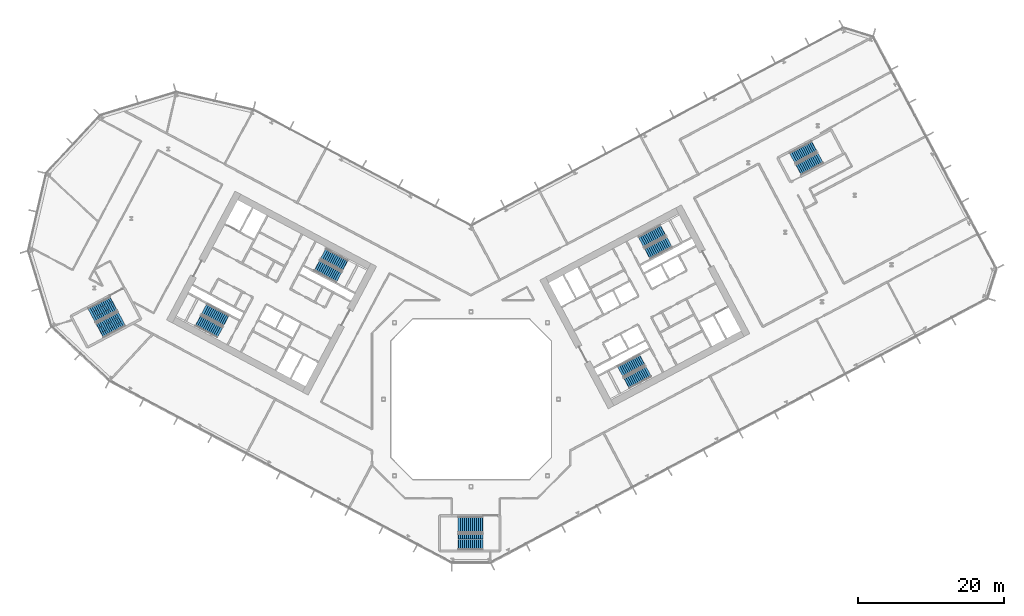
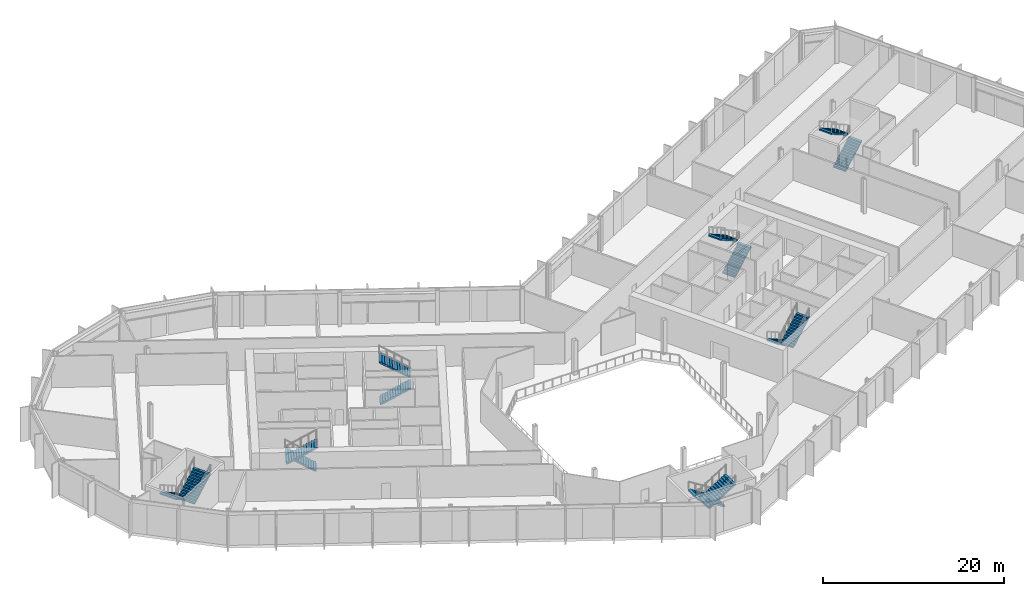
# One storey, part 20 of 31: 14 stair flights, 7 elements without a shape of their own.
"""IFC4 building model written with IfcOpenShell, lengths in metres."""

from ifc_helpers import new_model, si_unit, direction, frame, origin, place, context, subcontext, project, spatial, polyline, outline, extrude, material, type_object, element, aggregate, save


model = new_model("IFC4")

# Units and contexts
model_context = context("Model", 3, precision=1e-05, world=origin(), true_north=direction((0.0, 1.0)))
body_context = subcontext(model_context, "Body", "Model", "MODEL_VIEW")
ifc_project = project(units=[si_unit("LENGTHUNIT", "METRE"), si_unit("AREAUNIT", "SQUARE_METRE"), si_unit("VOLUMEUNIT", "CUBIC_METRE"), si_unit("PLANEANGLEUNIT", "RADIAN"), si_unit("MASSUNIT", "GRAM", prefix="KILO")], contexts=[model_context])

# Site, building, storey
site_placement = place(None, origin())
site = spatial("IfcSite", under=ifc_project, at=site_placement, CompositionType="ELEMENT")
building_placement = place(site_placement, origin())
building = spatial("IfcBuilding", under=site, at=building_placement, Name="Cormorant Relay Tower", CompositionType="ELEMENT")
storey_placement = place(building_placement, frame((0.0, 0.0, 98.39990234375)))
storey = spatial("IfcBuildingStorey", under=building, at=storey_placement, Name="L19", CompositionType="ELEMENT", Elevation=98.39990234375)

# Stair, stair flights
ifc_material_1 = material(Name="Concrete 40 MPa", Category="concrete")
stair_type_1 = type_object("IfcStairType", Name="Exit stair 1500", PredefinedType="HALF_TURN_STAIR", material=ifc_material_1)
stair_1_placement = place(storey_placement, origin())
stair_1 = element("IfcStair", 1, at=stair_1_placement, inside=storey, type_object=stair_type_1, Name="L19 Stair", PredefinedType="HALF_TURN_STAIR")
ifc_material_2 = material(Name="Concrete 40 MPa", Category="concrete")
stair_flight_type_1 = type_object("IfcStairFlightType", Name="Exit stair flight 1650", PredefinedType="STRAIGHT", material=ifc_material_2)
stair_flight_1_placement = place(storey_placement, frame((-21.114501953125, 18.33349609375, 0.0), z_axis=(0.0, 0.0, 1.0), x_axis=(0.882947592859, -0.469471562786, 0.0)))
stair_flight_1 = element("IfcStairFlight", 2, at=stair_flight_1_placement, type_object=stair_flight_type_1, Name="A1 flight 1", NumberOfRisers=13, NumberOfTreads=12, PredefinedType="STRAIGHT", RiserHeight=0.176923077, TreadLength=0.28, context=body_context, shape_type="SweptSolid", body=[
    extrude(outline(polyline([(-0.050048828125, -0.080078125), (-0.050048828125, 0.0), (0.0, 0.0), (0.0, 0.177001953125), (0.280029296875, 0.177001953125), (0.280029296875, 0.353759765625), (0.56005859375, 0.353759765625), (0.56005859375, 0.53076171875), (0.840087890625, 0.53076171875), (0.840087890625, 0.707763671875), (1.1201171875, 0.707763671875), (1.1201171875, 0.884521484375), (1.39990234375, 0.884521484375), (1.39990234375, 1.0615234375), (1.679931640625, 1.0615234375), (1.679931640625, 1.238525390625), (1.9599609375, 1.238525390625), (1.9599609375, 1.415283203125), (2.239990234375, 1.415283203125), (2.239990234375, 1.59228515625), (2.52001953125, 1.59228515625), (2.52001953125, 1.769287109375), (2.800048828125, 1.769287109375), (2.800048828125, 1.946044921875), (3.080078125, 1.946044921875), (3.080078125, 2.123046875), (3.360107421875, 2.123046875), (3.41015625, 2.123046875), (3.41015625, 1.94580078125), (3.360107421875, 1.94580078125), (0.280517578125, 0.0), (-0.050048828125, -0.080078125)])), frame((0.0, 0.824951171875, 0.0), z_axis=(0.0, -1.0, 0.0), x_axis=(1.0, 0.0, 0.0)), (0.0, 0.0, 1.0), 1.64990234375),
])
stair_flight_2_placement = place(storey_placement, frame((-17.302734375, 18.345458984375, 2.300048828125), z_axis=(0.0, 0.0, 1.0), x_axis=(-0.882947592859, 0.469471562786, 0.0)))
stair_flight_2 = element("IfcStairFlight", 3, at=stair_flight_2_placement, type_object=stair_flight_type_1, Name="A1 flight 2", NumberOfRisers=13, NumberOfTreads=12, PredefinedType="STRAIGHT", RiserHeight=0.176923077, TreadLength=0.28, context=body_context, shape_type="SweptSolid", body=[
    extrude(outline(polyline([(-0.050048828125, -0.080078125), (-0.050048828125, 0.0), (0.0, 0.0), (0.0, 0.177001953125), (0.280029296875, 0.177001953125), (0.280029296875, 0.353759765625), (0.56005859375, 0.353759765625), (0.56005859375, 0.53076171875), (0.840087890625, 0.53076171875), (0.840087890625, 0.707763671875), (1.1201171875, 0.707763671875), (1.1201171875, 0.884521484375), (1.39990234375, 0.884521484375), (1.39990234375, 1.0615234375), (1.679931640625, 1.0615234375), (1.679931640625, 1.238525390625), (1.9599609375, 1.238525390625), (1.9599609375, 1.415283203125), (2.239990234375, 1.415283203125), (2.239990234375, 1.59228515625), (2.52001953125, 1.59228515625), (2.52001953125, 1.769287109375), (2.800048828125, 1.769287109375), (2.800048828125, 1.946044921875), (3.080078125, 1.946044921875), (3.080078125, 2.123046875), (3.360107421875, 2.123046875), (3.41015625, 2.123046875), (3.41015625, 1.94580078125), (3.360107421875, 1.94580078125), (0.280517578125, 0.0), (-0.050048828125, -0.080078125)])), frame((0.0, 0.824951171875, 0.0), z_axis=(0.0, -1.0, 0.0), x_axis=(1.0, 0.0, 0.0)), (0.0, 0.0, 1.0), 1.64990234375),
])
aggregate(stair_1, [stair_flight_1, stair_flight_2])

stair_2_placement = place(storey_placement, origin())
stair_2 = element("IfcStair", 4, at=stair_2_placement, inside=storey, type_object=stair_type_1, Name="L19 Stair", PredefinedType="HALF_TURN_STAIR")
stair_flight_3_placement = place(storey_placement, frame((-33.62841796875, 10.773681640625, 0.0), z_axis=(0.0, 0.0, 1.0), x_axis=(-0.882947592859, 0.469471562786, 0.0)))
stair_flight_3 = element("IfcStairFlight", 5, at=stair_flight_3_placement, type_object=stair_flight_type_1, Name="A2 flight 1", NumberOfRisers=13, NumberOfTreads=12, PredefinedType="STRAIGHT", RiserHeight=0.176923077, TreadLength=0.28, context=body_context, shape_type="SweptSolid", body=[
    extrude(outline(polyline([(-0.050048828125, -0.080078125), (-0.050048828125, 0.0), (0.0, 0.0), (0.0, 0.177001953125), (0.280029296875, 0.177001953125), (0.280029296875, 0.353759765625), (0.56005859375, 0.353759765625), (0.56005859375, 0.53076171875), (0.840087890625, 0.53076171875), (0.840087890625, 0.707763671875), (1.1201171875, 0.707763671875), (1.1201171875, 0.884521484375), (1.39990234375, 0.884521484375), (1.39990234375, 1.0615234375), (1.679931640625, 1.0615234375), (1.679931640625, 1.238525390625), (1.9599609375, 1.238525390625), (1.9599609375, 1.415283203125), (2.239990234375, 1.415283203125), (2.239990234375, 1.59228515625), (2.52001953125, 1.59228515625), (2.52001953125, 1.769287109375), (2.800048828125, 1.769287109375), (2.800048828125, 1.946044921875), (3.080078125, 1.946044921875), (3.080078125, 2.123046875), (3.360107421875, 2.123046875), (3.41015625, 2.123046875), (3.41015625, 1.94580078125), (3.360107421875, 1.94580078125), (0.280517578125, 0.0), (-0.050048828125, -0.080078125)])), frame((0.0, 0.824951171875, 0.0), z_axis=(0.0, -1.0, 0.0), x_axis=(1.0, 0.0, 0.0)), (0.0, 0.0, 1.0), 1.64990234375),
])
stair_flight_4_placement = place(storey_placement, frame((-37.440185546875, 10.76171875, 2.300048828125), z_axis=(0.0, 0.0, 1.0), x_axis=(0.882947592859, -0.469471562786, 0.0)))
stair_flight_4 = element("IfcStairFlight", 6, at=stair_flight_4_placement, type_object=stair_flight_type_1, Name="A2 flight 2", NumberOfRisers=13, NumberOfTreads=12, PredefinedType="STRAIGHT", RiserHeight=0.176923077, TreadLength=0.28, context=body_context, shape_type="SweptSolid", body=[
    extrude(outline(polyline([(-0.050048828125, -0.080078125), (-0.050048828125, 0.0), (0.0, 0.0), (0.0, 0.177001953125), (0.280029296875, 0.177001953125), (0.280029296875, 0.353759765625), (0.56005859375, 0.353759765625), (0.56005859375, 0.53076171875), (0.840087890625, 0.53076171875), (0.840087890625, 0.707763671875), (1.1201171875, 0.707763671875), (1.1201171875, 0.884521484375), (1.39990234375, 0.884521484375), (1.39990234375, 1.0615234375), (1.679931640625, 1.0615234375), (1.679931640625, 1.238525390625), (1.9599609375, 1.238525390625), (1.9599609375, 1.415283203125), (2.239990234375, 1.415283203125), (2.239990234375, 1.59228515625), (2.52001953125, 1.59228515625), (2.52001953125, 1.769287109375), (2.800048828125, 1.769287109375), (2.800048828125, 1.946044921875), (3.080078125, 1.946044921875), (3.080078125, 2.123046875), (3.360107421875, 2.123046875), (3.41015625, 2.123046875), (3.41015625, 1.94580078125), (3.360107421875, 1.94580078125), (0.280517578125, 0.0), (-0.050048828125, -0.080078125)])), frame((0.0, 0.824951171875, 0.0), z_axis=(0.0, -1.0, 0.0), x_axis=(1.0, 0.0, 0.0)), (0.0, 0.0, 1.0), 1.64990234375),
])
aggregate(stair_2, [stair_flight_3, stair_flight_4])

stair_3_placement = place(storey_placement, origin())
stair_3 = element("IfcStair", 7, at=stair_3_placement, inside=storey, type_object=stair_type_1, Name="L19 Stair", PredefinedType="HALF_TURN_STAIR")
stair_flight_5_placement = place(storey_placement, frame((23.474365234375, 5.374755859375, 0.0), z_axis=(0.0, 0.0, 1.0), x_axis=(-0.882947592859, -0.469471562786, 0.0)))
stair_flight_5 = element("IfcStairFlight", 8, at=stair_flight_5_placement, type_object=stair_flight_type_1, Name="B1 flight 1", NumberOfRisers=13, NumberOfTreads=12, PredefinedType="STRAIGHT", RiserHeight=0.176923077, TreadLength=0.28, context=body_context, shape_type="SweptSolid", body=[
    extrude(outline(polyline([(-0.050048828125, -0.080078125), (-0.050048828125, 0.0), (0.0, 0.0), (0.0, 0.177001953125), (0.280029296875, 0.177001953125), (0.280029296875, 0.353759765625), (0.56005859375, 0.353759765625), (0.56005859375, 0.53076171875), (0.840087890625, 0.53076171875), (0.840087890625, 0.707763671875), (1.1201171875, 0.707763671875), (1.1201171875, 0.884521484375), (1.39990234375, 0.884521484375), (1.39990234375, 1.0615234375), (1.679931640625, 1.0615234375), (1.679931640625, 1.238525390625), (1.9599609375, 1.238525390625), (1.9599609375, 1.415283203125), (2.239990234375, 1.415283203125), (2.239990234375, 1.59228515625), (2.52001953125, 1.59228515625), (2.52001953125, 1.769287109375), (2.800048828125, 1.769287109375), (2.800048828125, 1.946044921875), (3.080078125, 1.946044921875), (3.080078125, 2.123046875), (3.360107421875, 2.123046875), (3.41015625, 2.123046875), (3.41015625, 1.94580078125), (3.360107421875, 1.94580078125), (0.280517578125, 0.0), (-0.050048828125, -0.080078125)])), frame((0.0, 0.824951171875, 0.0), z_axis=(0.0, -1.0, 0.0), x_axis=(1.0, 0.0, 0.0)), (0.0, 0.0, 1.0), 1.64990234375),
])
stair_flight_6_placement = place(storey_placement, frame((21.352783203125, 2.2080078125, 2.300048828125), z_axis=(0.0, 0.0, 1.0), x_axis=(0.882947592859, 0.469471562786, 0.0)))
stair_flight_6 = element("IfcStairFlight", 9, at=stair_flight_6_placement, type_object=stair_flight_type_1, Name="B1 flight 2", NumberOfRisers=13, NumberOfTreads=12, PredefinedType="STRAIGHT", RiserHeight=0.176923077, TreadLength=0.28, context=body_context, shape_type="SweptSolid", body=[
    extrude(outline(polyline([(-0.050048828125, -0.080078125), (-0.050048828125, 0.0), (0.0, 0.0), (0.0, 0.177001953125), (0.280029296875, 0.177001953125), (0.280029296875, 0.353759765625), (0.56005859375, 0.353759765625), (0.56005859375, 0.53076171875), (0.840087890625, 0.53076171875), (0.840087890625, 0.707763671875), (1.1201171875, 0.707763671875), (1.1201171875, 0.884521484375), (1.39990234375, 0.884521484375), (1.39990234375, 1.0615234375), (1.679931640625, 1.0615234375), (1.679931640625, 1.238525390625), (1.9599609375, 1.238525390625), (1.9599609375, 1.415283203125), (2.239990234375, 1.415283203125), (2.239990234375, 1.59228515625), (2.52001953125, 1.59228515625), (2.52001953125, 1.769287109375), (2.800048828125, 1.769287109375), (2.800048828125, 1.946044921875), (3.080078125, 1.946044921875), (3.080078125, 2.123046875), (3.360107421875, 2.123046875), (3.41015625, 2.123046875), (3.41015625, 1.94580078125), (3.360107421875, 1.94580078125), (0.280517578125, 0.0), (-0.050048828125, -0.080078125)])), frame((0.0, 0.824951171875, 0.0), z_axis=(0.0, -1.0, 0.0), x_axis=(1.0, 0.0, 0.0)), (0.0, 0.0, 1.0), 1.64990234375),
])
aggregate(stair_3, [stair_flight_5, stair_flight_6])

stair_4_placement = place(storey_placement, origin())
stair_4 = element("IfcStair", 10, at=stair_4_placement, inside=storey, type_object=stair_type_1, Name="L19 Stair", PredefinedType="HALF_TURN_STAIR")
stair_flight_7_placement = place(storey_placement, frame((24.20458984375, 19.976806640625, 0.0), z_axis=(0.0, 0.0, 1.0), x_axis=(0.882947592859, 0.469471562786, 0.0)))
stair_flight_7 = element("IfcStairFlight", 11, at=stair_flight_7_placement, type_object=stair_flight_type_1, Name="B2 flight 1", NumberOfRisers=13, NumberOfTreads=12, PredefinedType="STRAIGHT", RiserHeight=0.176923077, TreadLength=0.28, context=body_context, shape_type="SweptSolid", body=[
    extrude(outline(polyline([(-0.050048828125, -0.080078125), (-0.050048828125, 0.0), (0.0, 0.0), (0.0, 0.177001953125), (0.280029296875, 0.177001953125), (0.280029296875, 0.353759765625), (0.56005859375, 0.353759765625), (0.56005859375, 0.53076171875), (0.840087890625, 0.53076171875), (0.840087890625, 0.707763671875), (1.1201171875, 0.707763671875), (1.1201171875, 0.884521484375), (1.39990234375, 0.884521484375), (1.39990234375, 1.0615234375), (1.679931640625, 1.0615234375), (1.679931640625, 1.238525390625), (1.9599609375, 1.238525390625), (1.9599609375, 1.415283203125), (2.239990234375, 1.415283203125), (2.239990234375, 1.59228515625), (2.52001953125, 1.59228515625), (2.52001953125, 1.769287109375), (2.800048828125, 1.769287109375), (2.800048828125, 1.946044921875), (3.080078125, 1.946044921875), (3.080078125, 2.123046875), (3.360107421875, 2.123046875), (3.41015625, 2.123046875), (3.41015625, 1.94580078125), (3.360107421875, 1.94580078125), (0.280517578125, 0.0), (-0.050048828125, -0.080078125)])), frame((0.0, 0.824951171875, 0.0), z_axis=(0.0, -1.0, 0.0), x_axis=(1.0, 0.0, 0.0)), (0.0, 0.0, 1.0), 1.64990234375),
])
stair_flight_8_placement = place(storey_placement, frame((26.326416015625, 23.1435546875, 2.300048828125), z_axis=(0.0, 0.0, 1.0), x_axis=(-0.882947592859, -0.469471562786, 0.0)))
stair_flight_8 = element("IfcStairFlight", 12, at=stair_flight_8_placement, type_object=stair_flight_type_1, Name="B2 flight 2", NumberOfRisers=13, NumberOfTreads=12, PredefinedType="STRAIGHT", RiserHeight=0.176923077, TreadLength=0.28, context=body_context, shape_type="SweptSolid", body=[
    extrude(outline(polyline([(-0.050048828125, -0.080078125), (-0.050048828125, 0.0), (0.0, 0.0), (0.0, 0.177001953125), (0.280029296875, 0.177001953125), (0.280029296875, 0.353759765625), (0.56005859375, 0.353759765625), (0.56005859375, 0.53076171875), (0.840087890625, 0.53076171875), (0.840087890625, 0.707763671875), (1.1201171875, 0.707763671875), (1.1201171875, 0.884521484375), (1.39990234375, 0.884521484375), (1.39990234375, 1.0615234375), (1.679931640625, 1.0615234375), (1.679931640625, 1.238525390625), (1.9599609375, 1.238525390625), (1.9599609375, 1.415283203125), (2.239990234375, 1.415283203125), (2.239990234375, 1.59228515625), (2.52001953125, 1.59228515625), (2.52001953125, 1.769287109375), (2.800048828125, 1.769287109375), (2.800048828125, 1.946044921875), (3.080078125, 1.946044921875), (3.080078125, 2.123046875), (3.360107421875, 2.123046875), (3.41015625, 2.123046875), (3.41015625, 1.94580078125), (3.360107421875, 1.94580078125), (0.280517578125, 0.0), (-0.050048828125, -0.080078125)])), frame((0.0, 0.824951171875, 0.0), z_axis=(0.0, -1.0, 0.0), x_axis=(1.0, 0.0, 0.0)), (0.0, 0.0, 1.0), 1.64990234375),
])
aggregate(stair_4, [stair_flight_7, stair_flight_8])

stair_5_placement = place(storey_placement, origin())
stair_5 = element("IfcStair", 13, at=stair_5_placement, inside=storey, type_object=stair_type_1, Name="L19 Stair", PredefinedType="HALF_TURN_STAIR")
stair_flight_9_placement = place(storey_placement, frame((44.947509765625, 31.502197265625, 0.0), z_axis=(0.0, 0.0, 1.0), x_axis=(0.882947502727, 0.4694717323, 0.0)))
stair_flight_9 = element("IfcStairFlight", 14, at=stair_flight_9_placement, type_object=stair_flight_type_1, Name="RB1 flight 1", NumberOfRisers=13, NumberOfTreads=12, PredefinedType="STRAIGHT", RiserHeight=0.176923077, TreadLength=0.28, context=body_context, shape_type="SweptSolid", body=[
    extrude(outline(polyline([(-0.050048828125, -0.080078125), (-0.050048828125, 0.0), (0.0, 0.0), (0.0, 0.177001953125), (0.280029296875, 0.177001953125), (0.280029296875, 0.353759765625), (0.56005859375, 0.353759765625), (0.56005859375, 0.53076171875), (0.840087890625, 0.53076171875), (0.840087890625, 0.707763671875), (1.1201171875, 0.707763671875), (1.1201171875, 0.884521484375), (1.39990234375, 0.884521484375), (1.39990234375, 1.0615234375), (1.679931640625, 1.0615234375), (1.679931640625, 1.238525390625), (1.9599609375, 1.238525390625), (1.9599609375, 1.415283203125), (2.239990234375, 1.415283203125), (2.239990234375, 1.59228515625), (2.52001953125, 1.59228515625), (2.52001953125, 1.769287109375), (2.800048828125, 1.769287109375), (2.800048828125, 1.946044921875), (3.080078125, 1.946044921875), (3.080078125, 2.123046875), (3.360107421875, 2.123046875), (3.41015625, 2.123046875), (3.41015625, 1.94580078125), (3.360107421875, 1.94580078125), (0.280517578125, 0.0), (-0.050048828125, -0.080078125)])), frame((0.0, 0.824951171875, 0.0), z_axis=(0.0, -1.0, 0.0), x_axis=(1.0, 0.0, 0.0)), (0.0, 0.0, 1.0), 1.64990234375),
])
stair_flight_10_placement = place(storey_placement, frame((47.0693359375, 34.668701171875, 2.300048828125), z_axis=(0.0, 0.0, 1.0), x_axis=(-0.882947502727, -0.4694717323, 0.0)))
stair_flight_10 = element("IfcStairFlight", 15, at=stair_flight_10_placement, type_object=stair_flight_type_1, Name="RB1 flight 2", NumberOfRisers=13, NumberOfTreads=12, PredefinedType="STRAIGHT", RiserHeight=0.176923077, TreadLength=0.28, context=body_context, shape_type="SweptSolid", body=[
    extrude(outline(polyline([(-0.050048828125, -0.080078125), (-0.050048828125, 0.0), (0.0, 0.0), (0.0, 0.177001953125), (0.280029296875, 0.177001953125), (0.280029296875, 0.353759765625), (0.56005859375, 0.353759765625), (0.56005859375, 0.53076171875), (0.840087890625, 0.53076171875), (0.840087890625, 0.707763671875), (1.1201171875, 0.707763671875), (1.1201171875, 0.884521484375), (1.39990234375, 0.884521484375), (1.39990234375, 1.0615234375), (1.679931640625, 1.0615234375), (1.679931640625, 1.238525390625), (1.9599609375, 1.238525390625), (1.9599609375, 1.415283203125), (2.239990234375, 1.415283203125), (2.239990234375, 1.59228515625), (2.52001953125, 1.59228515625), (2.52001953125, 1.769287109375), (2.800048828125, 1.769287109375), (2.800048828125, 1.946044921875), (3.080078125, 1.946044921875), (3.080078125, 2.123046875), (3.360107421875, 2.123046875), (3.41015625, 2.123046875), (3.41015625, 1.94580078125), (3.360107421875, 1.94580078125), (0.280517578125, 0.0), (-0.050048828125, -0.080078125)])), frame((0.0, 0.824951171875, 0.0), z_axis=(0.0, -1.0, 0.0), x_axis=(1.0, 0.0, 0.0)), (0.0, 0.0, 1.0), 1.64990234375),
])
aggregate(stair_5, [stair_flight_9, stair_flight_10])

ifc_material_3 = material(Name="Concrete 40 MPa", Category="concrete")
stair_type_2 = type_object("IfcStairType", Name="Remote exit stair 2200", PredefinedType="HALF_TURN_STAIR", material=ifc_material_3)
stair_6_placement = place(storey_placement, origin())
stair_6 = element("IfcStair", 16, at=stair_6_placement, inside=storey, type_object=stair_type_2, Name="L19 Stair", PredefinedType="HALF_TURN_STAIR")
ifc_material_4 = material(Name="Concrete 40 MPa", Category="concrete")
stair_flight_type_2 = type_object("IfcStairFlightType", Name="Remote exit stair flight 2200", PredefinedType="STRAIGHT", material=ifc_material_4)
stair_flight_11_placement = place(storey_placement, frame((1.60009765625, -17.22509765625, 0.0), z_axis=(0.0, 0.0, 1.0), x_axis=(-1.0, 0.0, 0.0)))
stair_flight_11 = element("IfcStairFlight", 17, at=stair_flight_11_placement, type_object=stair_flight_type_2, Name="RK1 flight 1", NumberOfRisers=13, NumberOfTreads=12, PredefinedType="STRAIGHT", RiserHeight=0.176923077, TreadLength=0.28, context=body_context, shape_type="SweptSolid", body=[
    extrude(outline(polyline([(-0.050048828125, -0.080078125), (-0.050048828125, 0.0), (0.0, 0.0), (0.0, 0.177001953125), (0.280029296875, 0.177001953125), (0.280029296875, 0.353759765625), (0.56005859375, 0.353759765625), (0.56005859375, 0.53076171875), (0.840087890625, 0.53076171875), (0.840087890625, 0.707763671875), (1.1201171875, 0.707763671875), (1.1201171875, 0.884521484375), (1.39990234375, 0.884521484375), (1.39990234375, 1.0615234375), (1.679931640625, 1.0615234375), (1.679931640625, 1.238525390625), (1.9599609375, 1.238525390625), (1.9599609375, 1.415283203125), (2.239990234375, 1.415283203125), (2.239990234375, 1.59228515625), (2.52001953125, 1.59228515625), (2.52001953125, 1.769287109375), (2.800048828125, 1.769287109375), (2.800048828125, 1.946044921875), (3.080078125, 1.946044921875), (3.080078125, 2.123046875), (3.360107421875, 2.123046875), (3.41015625, 2.123046875), (3.41015625, 1.94580078125), (3.360107421875, 1.94580078125), (0.280517578125, 0.0), (-0.050048828125, -0.080078125)])), frame((0.0, 1.10009765625, 0.0), z_axis=(0.0, -1.0, 0.0), x_axis=(1.0, 0.0, 0.0)), (0.0, 0.0, 1.0), 0.719970703125),
    extrude(outline(polyline([(-0.050048828125, -0.080078125), (-0.050048828125, 0.0), (0.0, 0.0), (0.0, 0.177001953125), (0.280029296875, 0.177001953125), (0.280029296875, 0.353759765625), (0.56005859375, 0.353759765625), (0.56005859375, 0.53076171875), (0.840087890625, 0.53076171875), (0.840087890625, 0.707763671875), (1.1201171875, 0.707763671875), (1.1201171875, 0.884521484375), (1.39990234375, 0.884521484375), (1.39990234375, 1.0615234375), (1.679931640625, 1.0615234375), (1.679931640625, 1.238525390625), (1.9599609375, 1.238525390625), (1.9599609375, 1.415283203125), (2.239990234375, 1.415283203125), (2.239990234375, 1.59228515625), (2.52001953125, 1.59228515625), (2.52001953125, 1.769287109375), (2.800048828125, 1.769287109375), (2.800048828125, 1.946044921875), (3.080078125, 1.946044921875), (3.080078125, 2.123046875), (3.360107421875, 2.123046875), (3.41015625, 2.123046875), (3.41015625, 1.94580078125), (3.360107421875, 1.94580078125), (0.280517578125, 0.0), (-0.050048828125, -0.080078125)])), frame((0.0, 0.360107421875, 0.0), z_axis=(0.0, -1.0, 0.0), x_axis=(1.0, 0.0, 0.0)), (0.0, 0.0, 1.0), 0.719970703125),
    extrude(outline(polyline([(-0.050048828125, -0.080078125), (-0.050048828125, 0.0), (0.0, 0.0), (0.0, 0.177001953125), (0.280029296875, 0.177001953125), (0.280029296875, 0.353759765625), (0.56005859375, 0.353759765625), (0.56005859375, 0.53076171875), (0.840087890625, 0.53076171875), (0.840087890625, 0.707763671875), (1.1201171875, 0.707763671875), (1.1201171875, 0.884521484375), (1.39990234375, 0.884521484375), (1.39990234375, 1.0615234375), (1.679931640625, 1.0615234375), (1.679931640625, 1.238525390625), (1.9599609375, 1.238525390625), (1.9599609375, 1.415283203125), (2.239990234375, 1.415283203125), (2.239990234375, 1.59228515625), (2.52001953125, 1.59228515625), (2.52001953125, 1.769287109375), (2.800048828125, 1.769287109375), (2.800048828125, 1.946044921875), (3.080078125, 1.946044921875), (3.080078125, 2.123046875), (3.360107421875, 2.123046875), (3.41015625, 2.123046875), (3.41015625, 1.94580078125), (3.360107421875, 1.94580078125), (0.280517578125, 0.0), (-0.050048828125, -0.080078125)])), frame((0.0, -0.3798828125, 0.0), z_axis=(0.0, -1.0, 0.0), x_axis=(1.0, 0.0, 0.0)), (0.0, 0.0, 1.0), 0.719970703125),
])
stair_flight_12_placement = place(storey_placement, frame((-1.760009765625, -19.574951171875, 2.300048828125), z_axis=(0.0, 0.0, 1.0), x_axis=(1.0, 0.0, 0.0)))
stair_flight_12 = element("IfcStairFlight", 18, at=stair_flight_12_placement, type_object=stair_flight_type_2, Name="RK1 flight 2", NumberOfRisers=13, NumberOfTreads=12, PredefinedType="STRAIGHT", RiserHeight=0.176923077, TreadLength=0.28, context=body_context, shape_type="SweptSolid", body=[
    extrude(outline(polyline([(-0.050048828125, -0.080078125), (-0.050048828125, 0.0), (0.0, 0.0), (0.0, 0.177001953125), (0.280029296875, 0.177001953125), (0.280029296875, 0.353759765625), (0.56005859375, 0.353759765625), (0.56005859375, 0.53076171875), (0.840087890625, 0.53076171875), (0.840087890625, 0.707763671875), (1.1201171875, 0.707763671875), (1.1201171875, 0.884521484375), (1.39990234375, 0.884521484375), (1.39990234375, 1.0615234375), (1.679931640625, 1.0615234375), (1.679931640625, 1.238525390625), (1.9599609375, 1.238525390625), (1.9599609375, 1.415283203125), (2.239990234375, 1.415283203125), (2.239990234375, 1.59228515625), (2.52001953125, 1.59228515625), (2.52001953125, 1.769287109375), (2.800048828125, 1.769287109375), (2.800048828125, 1.946044921875), (3.080078125, 1.946044921875), (3.080078125, 2.123046875), (3.360107421875, 2.123046875), (3.41015625, 2.123046875), (3.41015625, 1.94580078125), (3.360107421875, 1.94580078125), (0.280517578125, 0.0), (-0.050048828125, -0.080078125)])), frame((0.0, 1.10009765625, 0.0), z_axis=(0.0, -1.0, 0.0), x_axis=(1.0, 0.0, 0.0)), (0.0, 0.0, 1.0), 0.719970703125),
    extrude(outline(polyline([(-0.050048828125, -0.080078125), (-0.050048828125, 0.0), (0.0, 0.0), (0.0, 0.177001953125), (0.280029296875, 0.177001953125), (0.280029296875, 0.353759765625), (0.56005859375, 0.353759765625), (0.56005859375, 0.53076171875), (0.840087890625, 0.53076171875), (0.840087890625, 0.707763671875), (1.1201171875, 0.707763671875), (1.1201171875, 0.884521484375), (1.39990234375, 0.884521484375), (1.39990234375, 1.0615234375), (1.679931640625, 1.0615234375), (1.679931640625, 1.238525390625), (1.9599609375, 1.238525390625), (1.9599609375, 1.415283203125), (2.239990234375, 1.415283203125), (2.239990234375, 1.59228515625), (2.52001953125, 1.59228515625), (2.52001953125, 1.769287109375), (2.800048828125, 1.769287109375), (2.800048828125, 1.946044921875), (3.080078125, 1.946044921875), (3.080078125, 2.123046875), (3.360107421875, 2.123046875), (3.41015625, 2.123046875), (3.41015625, 1.94580078125), (3.360107421875, 1.94580078125), (0.280517578125, 0.0), (-0.050048828125, -0.080078125)])), frame((0.0, 0.360107421875, 0.0), z_axis=(0.0, -1.0, 0.0), x_axis=(1.0, 0.0, 0.0)), (0.0, 0.0, 1.0), 0.719970703125),
    extrude(outline(polyline([(-0.050048828125, -0.080078125), (-0.050048828125, 0.0), (0.0, 0.0), (0.0, 0.177001953125), (0.280029296875, 0.177001953125), (0.280029296875, 0.353759765625), (0.56005859375, 0.353759765625), (0.56005859375, 0.53076171875), (0.840087890625, 0.53076171875), (0.840087890625, 0.707763671875), (1.1201171875, 0.707763671875), (1.1201171875, 0.884521484375), (1.39990234375, 0.884521484375), (1.39990234375, 1.0615234375), (1.679931640625, 1.0615234375), (1.679931640625, 1.238525390625), (1.9599609375, 1.238525390625), (1.9599609375, 1.415283203125), (2.239990234375, 1.415283203125), (2.239990234375, 1.59228515625), (2.52001953125, 1.59228515625), (2.52001953125, 1.769287109375), (2.800048828125, 1.769287109375), (2.800048828125, 1.946044921875), (3.080078125, 1.946044921875), (3.080078125, 2.123046875), (3.360107421875, 2.123046875), (3.41015625, 2.123046875), (3.41015625, 1.94580078125), (3.360107421875, 1.94580078125), (0.280517578125, 0.0), (-0.050048828125, -0.080078125)])), frame((0.0, -0.3798828125, 0.0), z_axis=(0.0, -1.0, 0.0), x_axis=(1.0, 0.0, 0.0)), (0.0, 0.0, 1.0), 0.719970703125),
])
aggregate(stair_6, [stair_flight_11, stair_flight_12])

stair_7_placement = place(storey_placement, origin())
stair_7 = element("IfcStair", 19, at=stair_7_placement, inside=storey, type_object=stair_type_2, Name="L19 Stair", PredefinedType="HALF_TURN_STAIR")
stair_flight_13_placement = place(storey_placement, frame((-49.062255859375, 13.08251953125, 0.0), z_axis=(0.0, 0.0, 1.0), x_axis=(-0.882947502727, -0.4694717323, 0.0)))
stair_flight_13 = element("IfcStairFlight", 20, at=stair_flight_13_placement, type_object=stair_flight_type_2, Name="RP1 flight 1", NumberOfRisers=13, NumberOfTreads=12, PredefinedType="STRAIGHT", RiserHeight=0.176923077, TreadLength=0.28, context=body_context, shape_type="SweptSolid", body=[
    extrude(outline(polyline([(-0.050048828125, -0.080078125), (-0.050048828125, 0.0), (0.0, 0.0), (0.0, 0.177001953125), (0.280029296875, 0.177001953125), (0.280029296875, 0.353759765625), (0.56005859375, 0.353759765625), (0.56005859375, 0.53076171875), (0.840087890625, 0.53076171875), (0.840087890625, 0.707763671875), (1.1201171875, 0.707763671875), (1.1201171875, 0.884521484375), (1.39990234375, 0.884521484375), (1.39990234375, 1.0615234375), (1.679931640625, 1.0615234375), (1.679931640625, 1.238525390625), (1.9599609375, 1.238525390625), (1.9599609375, 1.415283203125), (2.239990234375, 1.415283203125), (2.239990234375, 1.59228515625), (2.52001953125, 1.59228515625), (2.52001953125, 1.769287109375), (2.800048828125, 1.769287109375), (2.800048828125, 1.946044921875), (3.080078125, 1.946044921875), (3.080078125, 2.123046875), (3.360107421875, 2.123046875), (3.41015625, 2.123046875), (3.41015625, 1.94580078125), (3.360107421875, 1.94580078125), (0.280517578125, 0.0), (-0.050048828125, -0.080078125)])), frame((0.0, 1.10009765625, 0.0), z_axis=(0.0, -1.0, 0.0), x_axis=(1.0, 0.0, 0.0)), (0.0, 0.0, 1.0), 0.719970703125),
    extrude(outline(polyline([(-0.050048828125, -0.080078125), (-0.050048828125, 0.0), (0.0, 0.0), (0.0, 0.177001953125), (0.280029296875, 0.177001953125), (0.280029296875, 0.353759765625), (0.56005859375, 0.353759765625), (0.56005859375, 0.53076171875), (0.840087890625, 0.53076171875), (0.840087890625, 0.707763671875), (1.1201171875, 0.707763671875), (1.1201171875, 0.884521484375), (1.39990234375, 0.884521484375), (1.39990234375, 1.0615234375), (1.679931640625, 1.0615234375), (1.679931640625, 1.238525390625), (1.9599609375, 1.238525390625), (1.9599609375, 1.415283203125), (2.239990234375, 1.415283203125), (2.239990234375, 1.59228515625), (2.52001953125, 1.59228515625), (2.52001953125, 1.769287109375), (2.800048828125, 1.769287109375), (2.800048828125, 1.946044921875), (3.080078125, 1.946044921875), (3.080078125, 2.123046875), (3.360107421875, 2.123046875), (3.41015625, 2.123046875), (3.41015625, 1.94580078125), (3.360107421875, 1.94580078125), (0.280517578125, 0.0), (-0.050048828125, -0.080078125)])), frame((0.0, 0.360107421875, 0.0), z_axis=(0.0, -1.0, 0.0), x_axis=(1.0, 0.0, 0.0)), (0.0, 0.0, 1.0), 0.719970703125),
    extrude(outline(polyline([(-0.050048828125, -0.080078125), (-0.050048828125, 0.0), (0.0, 0.0), (0.0, 0.177001953125), (0.280029296875, 0.177001953125), (0.280029296875, 0.353759765625), (0.56005859375, 0.353759765625), (0.56005859375, 0.53076171875), (0.840087890625, 0.53076171875), (0.840087890625, 0.707763671875), (1.1201171875, 0.707763671875), (1.1201171875, 0.884521484375), (1.39990234375, 0.884521484375), (1.39990234375, 1.0615234375), (1.679931640625, 1.0615234375), (1.679931640625, 1.238525390625), (1.9599609375, 1.238525390625), (1.9599609375, 1.415283203125), (2.239990234375, 1.415283203125), (2.239990234375, 1.59228515625), (2.52001953125, 1.59228515625), (2.52001953125, 1.769287109375), (2.800048828125, 1.769287109375), (2.800048828125, 1.946044921875), (3.080078125, 1.946044921875), (3.080078125, 2.123046875), (3.360107421875, 2.123046875), (3.41015625, 2.123046875), (3.41015625, 1.94580078125), (3.360107421875, 1.94580078125), (0.280517578125, 0.0), (-0.050048828125, -0.080078125)])), frame((0.0, -0.3798828125, 0.0), z_axis=(0.0, -1.0, 0.0), x_axis=(1.0, 0.0, 0.0)), (0.0, 0.0, 1.0), 0.719970703125),
])
stair_flight_14_placement = place(storey_placement, frame((-50.92578125, 9.43017578125, 2.300048828125), z_axis=(0.0, 0.0, 1.0), x_axis=(0.882947502727, 0.4694717323, 0.0)))
stair_flight_14 = element("IfcStairFlight", 21, at=stair_flight_14_placement, type_object=stair_flight_type_2, Name="RP1 flight 2", NumberOfRisers=13, NumberOfTreads=12, PredefinedType="STRAIGHT", RiserHeight=0.176923077, TreadLength=0.28, context=body_context, shape_type="SweptSolid", body=[
    extrude(outline(polyline([(-0.050048828125, -0.080078125), (-0.050048828125, 0.0), (0.0, 0.0), (0.0, 0.177001953125), (0.280029296875, 0.177001953125), (0.280029296875, 0.353759765625), (0.56005859375, 0.353759765625), (0.56005859375, 0.53076171875), (0.840087890625, 0.53076171875), (0.840087890625, 0.707763671875), (1.1201171875, 0.707763671875), (1.1201171875, 0.884521484375), (1.39990234375, 0.884521484375), (1.39990234375, 1.0615234375), (1.679931640625, 1.0615234375), (1.679931640625, 1.238525390625), (1.9599609375, 1.238525390625), (1.9599609375, 1.415283203125), (2.239990234375, 1.415283203125), (2.239990234375, 1.59228515625), (2.52001953125, 1.59228515625), (2.52001953125, 1.769287109375), (2.800048828125, 1.769287109375), (2.800048828125, 1.946044921875), (3.080078125, 1.946044921875), (3.080078125, 2.123046875), (3.360107421875, 2.123046875), (3.41015625, 2.123046875), (3.41015625, 1.94580078125), (3.360107421875, 1.94580078125), (0.280517578125, 0.0), (-0.050048828125, -0.080078125)])), frame((0.0, 1.10009765625, 0.0), z_axis=(0.0, -1.0, 0.0), x_axis=(1.0, 0.0, 0.0)), (0.0, 0.0, 1.0), 0.719970703125),
    extrude(outline(polyline([(-0.050048828125, -0.080078125), (-0.050048828125, 0.0), (0.0, 0.0), (0.0, 0.177001953125), (0.280029296875, 0.177001953125), (0.280029296875, 0.353759765625), (0.56005859375, 0.353759765625), (0.56005859375, 0.53076171875), (0.840087890625, 0.53076171875), (0.840087890625, 0.707763671875), (1.1201171875, 0.707763671875), (1.1201171875, 0.884521484375), (1.39990234375, 0.884521484375), (1.39990234375, 1.0615234375), (1.679931640625, 1.0615234375), (1.679931640625, 1.238525390625), (1.9599609375, 1.238525390625), (1.9599609375, 1.415283203125), (2.239990234375, 1.415283203125), (2.239990234375, 1.59228515625), (2.52001953125, 1.59228515625), (2.52001953125, 1.769287109375), (2.800048828125, 1.769287109375), (2.800048828125, 1.946044921875), (3.080078125, 1.946044921875), (3.080078125, 2.123046875), (3.360107421875, 2.123046875), (3.41015625, 2.123046875), (3.41015625, 1.94580078125), (3.360107421875, 1.94580078125), (0.280517578125, 0.0), (-0.050048828125, -0.080078125)])), frame((0.0, 0.360107421875, 0.0), z_axis=(0.0, -1.0, 0.0), x_axis=(1.0, 0.0, 0.0)), (0.0, 0.0, 1.0), 0.719970703125),
    extrude(outline(polyline([(-0.050048828125, -0.080078125), (-0.050048828125, 0.0), (0.0, 0.0), (0.0, 0.177001953125), (0.280029296875, 0.177001953125), (0.280029296875, 0.353759765625), (0.56005859375, 0.353759765625), (0.56005859375, 0.53076171875), (0.840087890625, 0.53076171875), (0.840087890625, 0.707763671875), (1.1201171875, 0.707763671875), (1.1201171875, 0.884521484375), (1.39990234375, 0.884521484375), (1.39990234375, 1.0615234375), (1.679931640625, 1.0615234375), (1.679931640625, 1.238525390625), (1.9599609375, 1.238525390625), (1.9599609375, 1.415283203125), (2.239990234375, 1.415283203125), (2.239990234375, 1.59228515625), (2.52001953125, 1.59228515625), (2.52001953125, 1.769287109375), (2.800048828125, 1.769287109375), (2.800048828125, 1.946044921875), (3.080078125, 1.946044921875), (3.080078125, 2.123046875), (3.360107421875, 2.123046875), (3.41015625, 2.123046875), (3.41015625, 1.94580078125), (3.360107421875, 1.94580078125), (0.280517578125, 0.0), (-0.050048828125, -0.080078125)])), frame((0.0, -0.3798828125, 0.0), z_axis=(0.0, -1.0, 0.0), x_axis=(1.0, 0.0, 0.0)), (0.0, 0.0, 1.0), 0.719970703125),
])
aggregate(stair_7, [stair_flight_13, stair_flight_14])

save(model, "model.ifc")
